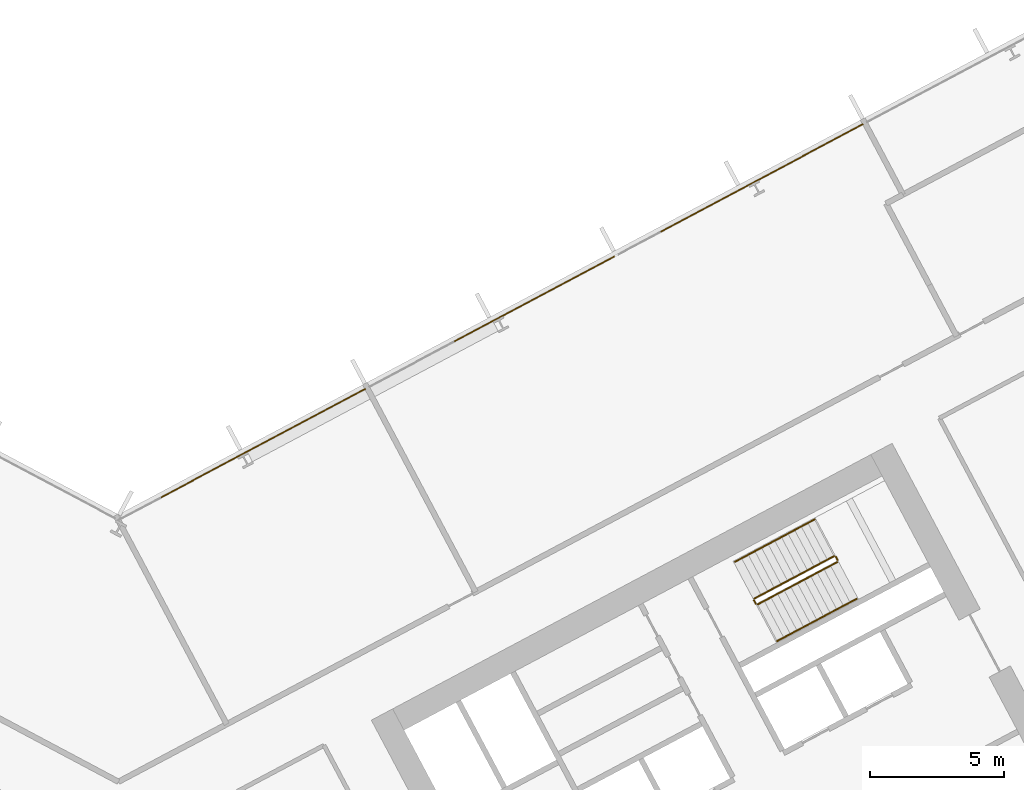
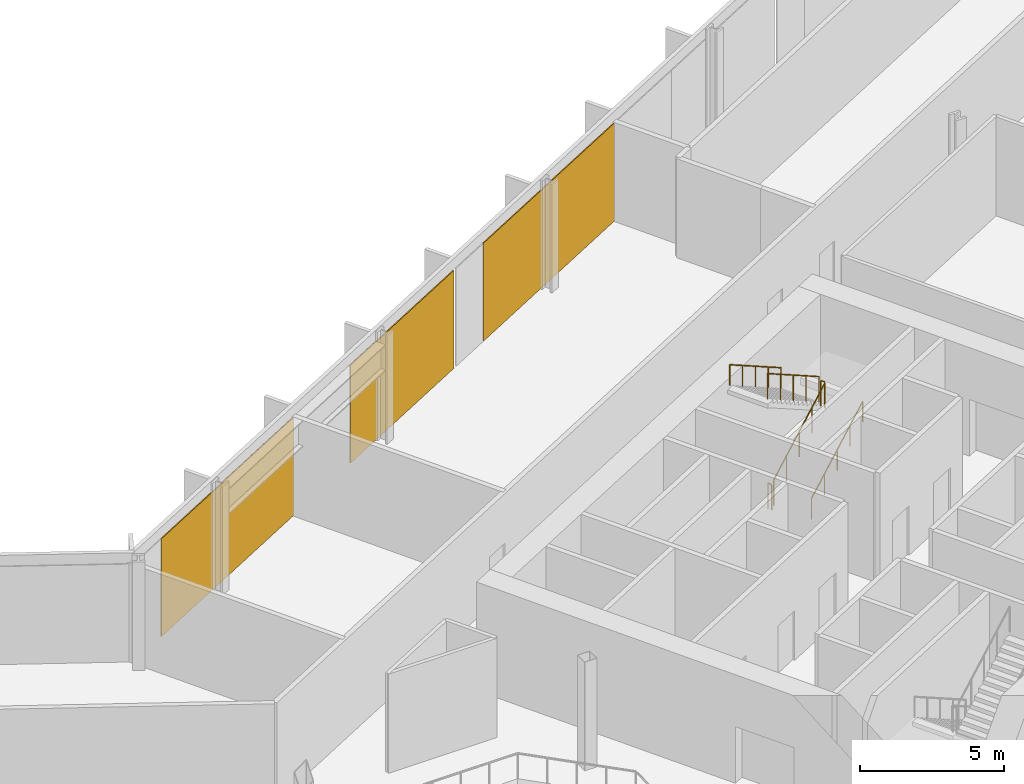
# One storey, part 30 of 32: 6 railings, 3 coverings, 1 element without a shape of its own.
"""IFC4 building model written with IfcOpenShell, lengths in metres."""

from ifc_helpers import new_model, si_unit, direction, frame, origin, origin_2d, place, context, subcontext, project, spatial, polyline, rectangle, outline, extrude, material, layer, layer_set, type_object, element, aggregate, save


model = new_model("IFC4")

# Units and contexts
model_context = context("Model", 3, precision=1e-05, world=origin(), true_north=direction((0.0, 1.0)))
body_context = subcontext(model_context, "Body", "Model", "MODEL_VIEW")
ifc_project = project(units=[si_unit("LENGTHUNIT", "METRE"), si_unit("AREAUNIT", "SQUARE_METRE"), si_unit("VOLUMEUNIT", "CUBIC_METRE"), si_unit("PLANEANGLEUNIT", "RADIAN"), si_unit("MASSUNIT", "GRAM", prefix="KILO")], contexts=[model_context])

# Site, building, storey
site_placement = place(None, origin())
site = spatial("IfcSite", under=ifc_project, at=site_placement, CompositionType="ELEMENT")
building_placement = place(site_placement, origin())
building = spatial("IfcBuilding", under=site, at=building_placement, Name="Cormorant Relay Tower", CompositionType="ELEMENT")
storey_placement = place(building_placement, frame((0.0, 0.0, 75.39990234375)))
storey = spatial("IfcBuildingStorey", under=building, at=storey_placement, Name="L14", CompositionType="ELEMENT", Elevation=75.39990234375)

# Curtain wall, coverings
ifc_material_1 = material(Name="Aluminium 6063-T6 anodised bronze", Category="aluminium")
ifc_layer_1 = layer(ifc_material_1, 0.199951171875)
ifc_layer_set_1 = layer_set([ifc_layer_1], Name="CW1 unitised bronze curtain wall with vertical fins")
curtain_wall_type = type_object("IfcCurtainWallType", Name="CW1 unitised bronze curtain wall with vertical fins", PredefinedType="NOTDEFINED", material=ifc_layer_set_1)
curtain_wall_placement = place(storey_placement, origin())
curtain_wall = element("IfcCurtainWall", 1, at=curtain_wall_placement, inside=storey, type_object=curtain_wall_type, Name="CW1 curtain wall 6", PredefinedType="NOTDEFINED")
ifc_material_2 = material(Name="Pale bronze anodised aluminium insulated panel", Category="aluminium")
ifc_layer_2 = layer(ifc_material_2, 0.0400390625)
ifc_layer_set_2 = layer_set([ifc_layer_2], Name="CW1 pale bronze insulated panel 40")
covering_type = type_object("IfcCoveringType", Name="CW1 pale bronze insulated panel 40", PredefinedType="CLADDING", material=ifc_layer_set_2)
covering_1_placement = place(storey_placement, frame((23.996337890625, 36.565673828125, 0.000244140625), z_axis=(0.0, 0.0, 1.0), x_axis=(-0.882947592859, -0.469471562786, 0.0)))
covering_1 = element("IfcCovering", 2, at=covering_1_placement, type_object=covering_type, Name="CW1 panel S05", PredefinedType="CLADDING", context=body_context, shape_type="SweptSolid", body=[
    extrude(rectangle(XDim=8.565185546875, YDim=0.0400390625, at=origin_2d()), origin(), (0.0, 0.0, 1.0), 4.14990234375),
])
covering_2_placement = place(storey_placement, frame((15.506591796875, 32.051513671875, 0.000244140625), z_axis=(0.0, 0.0, 1.0), x_axis=(-0.882947592859, -0.469471562786, 0.0)))
covering_2 = element("IfcCovering", 3, at=covering_2_placement, type_object=covering_type, Name="CW1 panel S07", PredefinedType="CLADDING", context=body_context, shape_type="SweptSolid", body=[
    extrude(rectangle(XDim=6.765380859375, YDim=0.0400390625, at=origin_2d()), origin(), (0.0, 0.0, 1.0), 4.14990234375),
])
covering_3_placement = place(storey_placement, frame((5.394287109375, 26.6748046875, 0.000244140625), z_axis=(0.0, 0.0, 1.0), x_axis=(-0.882947592859, -0.469471562786, 0.0)))
covering_3 = element("IfcCovering", 4, at=covering_3_placement, type_object=covering_type, Name="CW1 panel S09", PredefinedType="CLADDING", context=body_context, shape_type="SweptSolid", body=[
    extrude(rectangle(XDim=8.640380859375, YDim=0.0400390625, at=origin_2d()), origin(), (0.0, 0.0, 1.0), 4.14990234375),
])
aggregate(curtain_wall, [covering_1, covering_2, covering_3])

# Railings
ifc_material_3 = material(Name="Steel ASTM A572 Grade 50 (Fy 345 MPa)", Category="steel")
railing_type_1 = type_object("IfcRailingType", Name="Stair guard 1100", PredefinedType="GUARDRAIL", material=ifc_material_3)
railing_1_placement = place(storey_placement, frame((23.8408203125, 20.6611328125, 0.177001953125)))
element("IfcRailing", 5, at=railing_1_placement, inside=storey, type_object=railing_type_1, Name="L14 B2 stair guard 1", PredefinedType="GUARDRAIL", context=body_context, shape_type="SweptSolid", body=[
    extrude(outline(polyline([(0.022216796875, 0.00927734375), (0.00927734375, 0.022216796875), (-0.00927734375, 0.022216796875), (-0.022216796875, 0.00927734375), (-0.022216796875, -0.00927734375), (-0.00927734375, -0.022216796875), (0.00927734375, -0.022216796875), (0.022216796875, -0.00927734375), (0.022216796875, 0.00927734375)])), frame((0.0, 0.0, 1.076171875), z_axis=(0.746440668329, 0.396869088057, 0.534154711306), x_axis=(-0.46945269911, 0.882957622595, 0.0)), (0.0, 0.0, 1.0), 3.974609375),
    extrude(outline(polyline([(0.019287109375, 0.008056640625), (0.008056640625, 0.019287109375), (-0.008056640625, 0.019287109375), (-0.019287109375, 0.008056640625), (-0.019287109375, -0.008056640625), (-0.008056640625, -0.019287109375), (0.008056640625, -0.019287109375), (0.019287109375, -0.008056640625), (0.019287109375, 0.008056640625)])), origin(), (0.0, 0.0, 1.0), 1.052001953125),
    extrude(outline(polyline([(0.019287109375, 0.008056640625), (0.008056640625, 0.019287109375), (-0.008056640625, 0.019287109375), (-0.019287109375, 0.008056640625), (-0.019287109375, -0.008056640625), (-0.008056640625, -0.019287109375), (0.008056640625, -0.019287109375), (0.019287109375, -0.008056640625), (0.019287109375, 0.008056640625)])), frame((0.74169921875, 0.394287109375, 0.53076171875)), (0.0, 0.0, 1.0), 1.052001953125),
    extrude(outline(polyline([(0.019287109375, 0.008056640625), (0.008056640625, 0.019287109375), (-0.008056640625, 0.019287109375), (-0.019287109375, 0.008056640625), (-0.019287109375, -0.008056640625), (-0.008056640625, -0.019287109375), (0.008056640625, -0.019287109375), (0.019287109375, -0.008056640625), (0.019287109375, 0.008056640625)])), frame((1.4833984375, 0.78857421875, 1.0615234375)), (0.0, 0.0, 1.0), 1.052001953125),
    extrude(outline(polyline([(0.019287109375, 0.008056640625), (0.008056640625, 0.019287109375), (-0.008056640625, 0.019287109375), (-0.019287109375, 0.008056640625), (-0.019287109375, -0.008056640625), (-0.008056640625, -0.019287109375), (0.008056640625, -0.019287109375), (0.019287109375, -0.008056640625), (0.019287109375, 0.008056640625)])), frame((2.22509765625, 1.18310546875, 1.59228515625)), (0.0, 0.0, 1.0), 1.052001953125),
    extrude(outline(polyline([(0.019287109375, 0.008056640625), (0.008056640625, 0.019287109375), (-0.008056640625, 0.019287109375), (-0.019287109375, 0.008056640625), (-0.019287109375, -0.008056640625), (-0.008056640625, -0.019287109375), (0.008056640625, -0.019287109375), (0.019287109375, -0.008056640625), (0.019287109375, 0.008056640625)])), frame((2.966796875, 1.577392578125, 2.123046875)), (0.0, 0.0, 1.0), 1.052001953125),
])
railing_2_placement = place(storey_placement, frame((26.828125, 22.30615234375, 2.300048828125)))
element("IfcRailing", 6, at=railing_2_placement, inside=storey, type_object=railing_type_1, Name="L14 B2 stair guard 2", PredefinedType="GUARDRAIL", context=body_context, shape_type="SweptSolid", body=[
    extrude(outline(polyline([(0.022216796875, 0.00927734375), (0.00927734375, 0.022216796875), (-0.00927734375, 0.022216796875), (-0.022216796875, 0.00927734375), (-0.022216796875, -0.00927734375), (-0.00927734375, -0.022216796875), (0.00927734375, -0.022216796875), (0.022216796875, -0.00927734375), (0.022216796875, 0.00927734375)])), frame((0.0, 0.0, 1.076171875), z_axis=(-0.469234640946, 0.883073525669, 0.0), x_axis=(-0.883073525669, -0.469234640946, 0.0)), (0.0, 0.0, 1.0), 0.14990234375),
    extrude(outline(polyline([(0.019287109375, 0.008056640625), (0.008056640625, 0.019287109375), (-0.008056640625, 0.019287109375), (-0.019287109375, 0.008056640625), (-0.019287109375, -0.008056640625), (-0.008056640625, -0.019287109375), (0.008056640625, -0.019287109375), (0.019287109375, -0.008056640625), (0.019287109375, 0.008056640625)])), origin(), (0.0, 0.0, 1.0), 1.052001953125),
    extrude(outline(polyline([(0.019287109375, 0.008056640625), (0.008056640625, 0.019287109375), (-0.008056640625, 0.019287109375), (-0.019287109375, 0.008056640625), (-0.019287109375, -0.008056640625), (-0.008056640625, -0.019287109375), (0.008056640625, -0.019287109375), (0.019287109375, -0.008056640625), (0.019287109375, 0.008056640625)])), frame((-0.0703125, 0.13232421875, 0.0)), (0.0, 0.0, 1.0), 1.052001953125),
])
railing_3_placement = place(storey_placement, frame((26.690185546875, 22.459228515625, 2.47705078125)))
element("IfcRailing", 7, at=railing_3_placement, inside=storey, type_object=railing_type_1, Name="L14 B2 stair guard 3", PredefinedType="GUARDRAIL", context=body_context, shape_type="SweptSolid", body=[
    extrude(outline(polyline([(0.022216796875, 0.00927734375), (0.00927734375, 0.022216796875), (-0.00927734375, 0.022216796875), (-0.022216796875, 0.00927734375), (-0.022216796875, -0.00927734375), (-0.00927734375, -0.022216796875), (0.00927734375, -0.022216796875), (0.022216796875, -0.00927734375), (0.022216796875, 0.00927734375)])), frame((0.0, 0.0, 1.076171875), z_axis=(-0.746440668329, -0.396869088057, 0.534154711306), x_axis=(0.46945269911, -0.882957622595, 0.0)), (0.0, 0.0, 1.0), 3.974609375),
    extrude(outline(polyline([(0.019287109375, 0.008056640625), (0.008056640625, 0.019287109375), (-0.008056640625, 0.019287109375), (-0.019287109375, 0.008056640625), (-0.019287109375, -0.008056640625), (-0.008056640625, -0.019287109375), (0.008056640625, -0.019287109375), (0.019287109375, -0.008056640625), (0.019287109375, 0.008056640625)])), origin(), (0.0, 0.0, 1.0), 1.052001953125),
    extrude(outline(polyline([(0.019287109375, 0.008056640625), (0.008056640625, 0.019287109375), (-0.008056640625, 0.019287109375), (-0.019287109375, 0.008056640625), (-0.019287109375, -0.008056640625), (-0.008056640625, -0.019287109375), (0.008056640625, -0.019287109375), (0.019287109375, -0.008056640625), (0.019287109375, 0.008056640625)])), frame((-0.74169921875, -0.394287109375, 0.53076171875)), (0.0, 0.0, 1.0), 1.052001953125),
    extrude(outline(polyline([(0.019287109375, 0.008056640625), (0.008056640625, 0.019287109375), (-0.008056640625, 0.019287109375), (-0.019287109375, 0.008056640625), (-0.019287109375, -0.008056640625), (-0.008056640625, -0.019287109375), (0.008056640625, -0.019287109375), (0.019287109375, -0.008056640625), (0.019287109375, 0.008056640625)])), frame((-1.4833984375, -0.78857421875, 1.0615234375)), (0.0, 0.0, 1.0), 1.052001953125),
    extrude(outline(polyline([(0.019287109375, 0.008056640625), (0.008056640625, 0.019287109375), (-0.008056640625, 0.019287109375), (-0.019287109375, 0.008056640625), (-0.019287109375, -0.008056640625), (-0.008056640625, -0.019287109375), (0.008056640625, -0.019287109375), (0.019287109375, -0.008056640625), (0.019287109375, 0.008056640625)])), frame((-2.22509765625, -1.18310546875, 1.59228515625)), (0.0, 0.0, 1.0), 1.052001953125),
    extrude(outline(polyline([(0.019287109375, 0.008056640625), (0.008056640625, 0.019287109375), (-0.008056640625, 0.019287109375), (-0.019287109375, 0.008056640625), (-0.019287109375, -0.008056640625), (-0.008056640625, -0.019287109375), (0.008056640625, -0.019287109375), (0.019287109375, -0.008056640625), (0.019287109375, 0.008056640625)])), frame((-2.966796875, -1.577392578125, 2.123046875)), (0.0, 0.0, 1.0), 1.052001953125),
])
railing_4_placement = place(storey_placement, frame((23.773193359375, 20.681640625, 0.0)))
element("IfcRailing", 8, at=railing_4_placement, inside=storey, type_object=railing_type_1, Name="L14 B2 stair guard 4", PredefinedType="GUARDRAIL", context=body_context, shape_type="SweptSolid", body=[
    extrude(outline(polyline([(0.022216796875, 0.00927734375), (0.00927734375, 0.022216796875), (-0.00927734375, 0.022216796875), (-0.022216796875, 0.00927734375), (-0.022216796875, -0.00927734375), (-0.00927734375, -0.022216796875), (0.00927734375, -0.022216796875), (0.022216796875, -0.00927734375), (0.022216796875, 0.00927734375)])), frame((0.0, 0.0, 1.076171875), z_axis=(-0.46856034887, 0.8834314911, 0.0), x_axis=(-0.8834314911, -0.46856034887, 0.0)), (0.0, 0.0, 1.0), 0.150146484375),
    extrude(outline(polyline([(0.019287109375, 0.008056640625), (0.008056640625, 0.019287109375), (-0.008056640625, 0.019287109375), (-0.019287109375, 0.008056640625), (-0.019287109375, -0.008056640625), (-0.008056640625, -0.019287109375), (0.008056640625, -0.019287109375), (0.019287109375, -0.008056640625), (0.019287109375, 0.008056640625)])), origin(), (0.0, 0.0, 1.0), 1.052001953125),
    extrude(outline(polyline([(0.019287109375, 0.008056640625), (0.008056640625, 0.019287109375), (-0.008056640625, 0.019287109375), (-0.019287109375, 0.008056640625), (-0.019287109375, -0.008056640625), (-0.008056640625, -0.019287109375), (0.008056640625, -0.019287109375), (0.019287109375, -0.008056640625), (0.019287109375, 0.008056640625)])), frame((-0.0703125, 0.132568359375, 0.0)), (0.0, 0.0, 1.0), 1.052001953125),
])
ifc_material_4 = material(Name="Steel ASTM A572 Grade 50 (Fy 345 MPa)", Category="steel")
railing_type_2 = type_object("IfcRailingType", Name="Stair handrail 900", PredefinedType="HANDRAIL", material=ifc_material_4)
railing_5_placement = place(storey_placement, frame((24.568603515625, 19.29248046875, 0.177001953125)))
element("IfcRailing", 9, at=railing_5_placement, inside=storey, type_object=railing_type_2, Name="L14 B2 stair handrail 1", PredefinedType="HANDRAIL", context=body_context, shape_type="SweptSolid", body=[
    extrude(outline(polyline([(0.022216796875, 0.00927734375), (0.00927734375, 0.022216796875), (-0.00927734375, 0.022216796875), (-0.022216796875, 0.00927734375), (-0.022216796875, -0.00927734375), (-0.00927734375, -0.022216796875), (0.00927734375, -0.022216796875), (0.022216796875, -0.00927734375), (0.022216796875, 0.00927734375)])), frame((0.0, 0.0, 0.8759765625), z_axis=(0.746413465702, 0.396887285154, 0.534179203172), x_axis=(-0.469482818608, 0.88294160794, 0.0)), (0.0, 0.0, 1.0), 3.974365234375),
    extrude(outline(polyline([(0.019287109375, 0.008056640625), (0.008056640625, 0.019287109375), (-0.008056640625, 0.019287109375), (-0.019287109375, 0.008056640625), (-0.019287109375, -0.008056640625), (-0.008056640625, -0.019287109375), (0.008056640625, -0.019287109375), (0.019287109375, -0.008056640625), (0.019287109375, 0.008056640625)])), origin(), (0.0, 0.0, 1.0), 0.851806640625),
    extrude(outline(polyline([(0.019287109375, 0.008056640625), (0.008056640625, 0.019287109375), (-0.008056640625, 0.019287109375), (-0.019287109375, 0.008056640625), (-0.019287109375, -0.008056640625), (-0.008056640625, -0.019287109375), (0.008056640625, -0.019287109375), (0.019287109375, -0.008056640625), (0.019287109375, 0.008056640625)])), frame((0.74169921875, 0.394287109375, 0.53076171875)), (0.0, 0.0, 1.0), 0.851806640625),
    extrude(outline(polyline([(0.019287109375, 0.008056640625), (0.008056640625, 0.019287109375), (-0.008056640625, 0.019287109375), (-0.019287109375, 0.008056640625), (-0.019287109375, -0.008056640625), (-0.008056640625, -0.019287109375), (0.008056640625, -0.019287109375), (0.019287109375, -0.008056640625), (0.019287109375, 0.008056640625)])), frame((1.4833984375, 0.78857421875, 1.0615234375)), (0.0, 0.0, 1.0), 0.851806640625),
    extrude(outline(polyline([(0.019287109375, 0.008056640625), (0.008056640625, 0.019287109375), (-0.008056640625, 0.019287109375), (-0.019287109375, 0.008056640625), (-0.019287109375, -0.008056640625), (-0.008056640625, -0.019287109375), (0.008056640625, -0.019287109375), (0.019287109375, -0.008056640625), (0.019287109375, 0.008056640625)])), frame((2.224853515625, 1.18310546875, 1.59228515625)), (0.0, 0.0, 1.0), 0.851806640625),
    extrude(outline(polyline([(0.019287109375, 0.008056640625), (0.008056640625, 0.019287109375), (-0.008056640625, 0.019287109375), (-0.019287109375, 0.008056640625), (-0.019287109375, -0.008056640625), (-0.008056640625, -0.019287109375), (0.008056640625, -0.019287109375), (0.019287109375, -0.008056640625), (0.019287109375, 0.008056640625)])), frame((2.966552734375, 1.577392578125, 2.123046875)), (0.0, 0.0, 1.0), 0.851806640625),
])
railing_6_placement = place(storey_placement, frame((25.96240234375, 23.827880859375, 2.47705078125)))
element("IfcRailing", 10, at=railing_6_placement, inside=storey, type_object=railing_type_2, Name="L14 B2 stair handrail 2", PredefinedType="HANDRAIL", context=body_context, shape_type="SweptSolid", body=[
    extrude(outline(polyline([(0.022216796875, 0.00927734375), (0.00927734375, 0.022216796875), (-0.00927734375, 0.022216796875), (-0.022216796875, 0.00927734375), (-0.022216796875, -0.00927734375), (-0.00927734375, -0.022216796875), (0.00927734375, -0.022216796875), (0.022216796875, -0.00927734375), (0.022216796875, 0.00927734375)])), frame((0.0, 0.0, 0.8759765625), z_axis=(-0.74639526736, -0.39693903528, 0.534166179324), x_axis=(0.469539463624, -0.882911485994, 0.0)), (0.0, 0.0, 1.0), 3.974609375),
    extrude(outline(polyline([(0.019287109375, 0.008056640625), (0.008056640625, 0.019287109375), (-0.008056640625, 0.019287109375), (-0.019287109375, 0.008056640625), (-0.019287109375, -0.008056640625), (-0.008056640625, -0.019287109375), (0.008056640625, -0.019287109375), (0.019287109375, -0.008056640625), (0.019287109375, 0.008056640625)])), origin(), (0.0, 0.0, 1.0), 0.851806640625),
    extrude(outline(polyline([(0.019287109375, 0.008056640625), (0.008056640625, 0.019287109375), (-0.008056640625, 0.019287109375), (-0.019287109375, 0.008056640625), (-0.019287109375, -0.008056640625), (-0.008056640625, -0.019287109375), (0.008056640625, -0.019287109375), (0.019287109375, -0.008056640625), (0.019287109375, 0.008056640625)])), frame((-0.74169921875, -0.39453125, 0.53076171875)), (0.0, 0.0, 1.0), 0.851806640625),
    extrude(outline(polyline([(0.019287109375, 0.008056640625), (0.008056640625, 0.019287109375), (-0.008056640625, 0.019287109375), (-0.019287109375, 0.008056640625), (-0.019287109375, -0.008056640625), (-0.008056640625, -0.019287109375), (0.008056640625, -0.019287109375), (0.019287109375, -0.008056640625), (0.019287109375, 0.008056640625)])), frame((-1.4833984375, -0.788818359375, 1.0615234375)), (0.0, 0.0, 1.0), 0.851806640625),
    extrude(outline(polyline([(0.019287109375, 0.008056640625), (0.008056640625, 0.019287109375), (-0.008056640625, 0.019287109375), (-0.019287109375, 0.008056640625), (-0.019287109375, -0.008056640625), (-0.008056640625, -0.019287109375), (0.008056640625, -0.019287109375), (0.019287109375, -0.008056640625), (0.019287109375, 0.008056640625)])), frame((-2.224853515625, -1.18310546875, 1.59228515625)), (0.0, 0.0, 1.0), 0.851806640625),
    extrude(outline(polyline([(0.019287109375, 0.008056640625), (0.008056640625, 0.019287109375), (-0.008056640625, 0.019287109375), (-0.019287109375, 0.008056640625), (-0.019287109375, -0.008056640625), (-0.008056640625, -0.019287109375), (0.008056640625, -0.019287109375), (0.019287109375, -0.008056640625), (0.019287109375, 0.008056640625)])), frame((-2.966552734375, -1.57763671875, 2.123046875)), (0.0, 0.0, 1.0), 0.851806640625),
])

save(model, "model.ifc")
